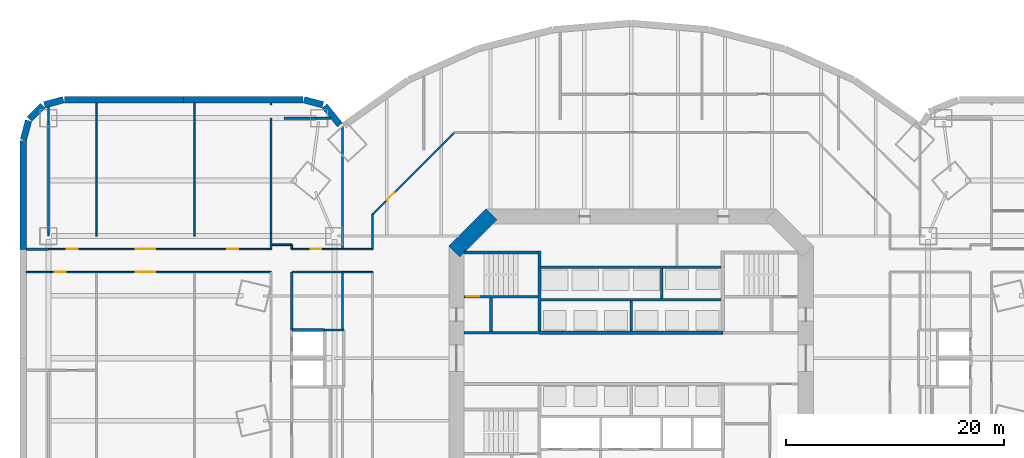
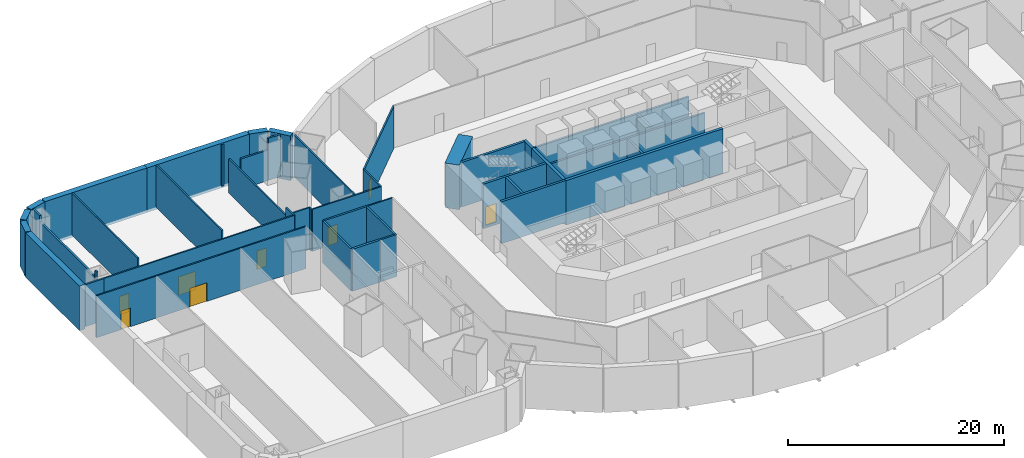
# One storey, part 5 of 11: 45 walls, 8 doors, 8 openings.
"""IFC4 building model written with IfcOpenShell, lengths in metres."""

from ifc_helpers import new_model, si_unit, direction, frame, frame_2d, origin, place, context, subcontext, project, spatial, rectangle, extrude, material, layer, layer_set, type_object, element, fill, save


model = new_model("IFC4")

# Units and contexts
model_context = context("Model", 3, precision=1e-05, world=origin(), true_north=direction((0.0, 1.0)))
body_context = subcontext(model_context, "Body", "Model", "MODEL_VIEW")
ifc_project = project(units=[si_unit("LENGTHUNIT", "METRE"), si_unit("AREAUNIT", "SQUARE_METRE"), si_unit("VOLUMEUNIT", "CUBIC_METRE"), si_unit("PLANEANGLEUNIT", "RADIAN"), si_unit("MASSUNIT", "GRAM", prefix="KILO")], contexts=[model_context])

# Site, building, storey
site_placement = place(None, origin())
site = spatial("IfcSite", under=ifc_project, at=site_placement, CompositionType="ELEMENT")
building_placement = place(site_placement, origin())
building = spatial("IfcBuilding", under=site, at=building_placement, Name="Marenthal Gate Tower", CompositionType="ELEMENT")
storey_placement = place(building_placement, frame((0.0, 0.0, -5.0)))
storey = spatial("IfcBuildingStorey", under=building, at=storey_placement, Name="B1", CompositionType="ELEMENT", Elevation=-5.0)

# Walls
ifc_material_1 = material(Name="Concrete 50 MPa", Category="concrete")
ifc_layer_1 = layer(ifc_material_1, 0.60009765625)
ifc_layer_set_1 = layer_set([ifc_layer_1], Name="BASEMENT WALL 600")
wall_type_1 = type_object("IfcWallType", Name="BASEMENT WALL 600", PredefinedType="SOLIDWALL", material=ifc_layer_set_1)
wall_1_placement = place(storey_placement, frame((-26.683349609375, 21.38720703125, -0.300048828125), z_axis=(0.0, 0.0, 1.0), x_axis=(-0.62890612744, 0.777481242776, 0.0)))
element("IfcWall", 1, at=wall_1_placement, inside=storey, type_object=wall_type_1, Name="BW-B1-35", PredefinedType="SOLIDWALL", context=body_context, shape_type="SweptSolid", body=[
    extrude(rectangle(XDim=2.236328125, YDim=0.60009765625, at=frame_2d((1.1181640625, 0.0))), origin(), (0.0, 0.0, 1.0), 5.050048828125),
])
wall_2_placement = place(storey_placement, frame((-28.243408203125, 23.2265625, -0.300048828125), z_axis=(0.0, 0.0, 1.0), x_axis=(-0.966257460443, 0.257578182573, 0.0)))
element("IfcWall", 2, at=wall_2_placement, inside=storey, type_object=wall_type_1, Name="BW-B1-36", PredefinedType="SOLIDWALL", context=body_context, shape_type="SweptSolid", body=[
    extrude(rectangle(XDim=1.799072265625, YDim=0.60009765625, at=frame_2d((0.8994140625, 0.0))), origin(), (0.0, 0.0, 1.0), 5.050048828125),
])
wall_3_placement = place(storey_placement, frame((-30.05712890625, 23.699951171875, -0.300048828125), z_axis=(0.0, 0.0, 1.0), x_axis=(-1.0, 0.0, 0.0)))
element("IfcWall", 3, at=wall_3_placement, inside=storey, type_object=wall_type_1, Name="BW-B1-37", PredefinedType="SOLIDWALL", context=body_context, shape_type="SweptSolid", body=[
    extrude(rectangle(XDim=10.94287109375, YDim=0.60009765625, at=frame_2d((5.471435546875, 0.0))), origin(), (0.0, 0.0, 1.0), 5.050048828125),
])
wall_4_placement = place(storey_placement, frame((-41.00048828125, 23.699951171875, -0.300048828125), z_axis=(0.0, 0.0, 1.0), x_axis=(-1.0, 0.0, 0.0)))
element("IfcWall", 4, at=wall_4_placement, inside=storey, type_object=wall_type_1, Name="BW-B1-38", PredefinedType="SOLIDWALL", context=body_context, shape_type="SweptSolid", body=[
    extrude(rectangle(XDim=10.9404296875, YDim=0.60009765625, at=frame_2d((5.47021484375, 0.0))), origin(), (0.0, 0.0, 1.0), 5.050048828125),
])
wall_5_placement = place(storey_placement, frame((-52.0166015625, 23.690185546875, -0.300048828125), z_axis=(0.0, 0.0, 1.0), x_axis=(-0.966301872336, -0.257411521733, 0.0)))
element("IfcWall", 5, at=wall_5_placement, inside=storey, type_object=wall_type_1, Name="BW-B1-39", PredefinedType="SOLIDWALL", context=body_context, shape_type="SweptSolid", body=[
    extrude(rectangle(XDim=1.8154296875, YDim=0.60009765625, at=frame_2d((0.90771484375, 0.0))), origin(), (0.0, 0.0, 1.0), 5.050048828125),
])
wall_6_placement = place(storey_placement, frame((-53.904052734375, 23.146484375, -0.300048828125), z_axis=(0.0, 0.0, 1.0), x_axis=(-0.707176340655, -0.707037214875, 0.0)))
element("IfcWall", 6, at=wall_6_placement, inside=storey, type_object=wall_type_1, Name="BW-B1-40", PredefinedType="SOLIDWALL", context=body_context, shape_type="SweptSolid", body=[
    extrude(rectangle(XDim=1.7548828125, YDim=0.60009765625, at=frame_2d((0.87744140625, 0.0))), origin(), (0.0, 0.0, 1.0), 5.050048828125),
])
wall_7_placement = place(storey_placement, frame((-55.22216796875, 21.77294921875, -0.300048828125), z_axis=(0.0, 0.0, 1.0), x_axis=(-0.257595706611, -0.966252788837, 0.0)))
element("IfcWall", 7, at=wall_7_placement, inside=storey, type_object=wall_type_1, Name="BW-B1-41", PredefinedType="SOLIDWALL", context=body_context, shape_type="SweptSolid", body=[
    extrude(rectangle(XDim=1.81591796875, YDim=0.60009765625, at=frame_2d((0.907958984375, 0.0))), origin(), (0.0, 0.0, 1.0), 5.050048828125),
])
wall_8_placement = place(storey_placement, frame((-55.699951171875, 19.94287109375, -0.300048828125), z_axis=(0.0, 0.0, 1.0), x_axis=(0.0, -1.0, 0.0)))
element("IfcWall", 8, at=wall_8_placement, inside=storey, type_object=wall_type_1, Name="BW-B1-42", PredefinedType="SOLIDWALL", context=body_context, shape_type="SweptSolid", body=[
    extrude(rectangle(XDim=9.95263671875, YDim=0.60009765625, at=frame_2d((4.976318359375, 0.0))), origin(), (0.0, 0.0, 1.0), 5.050048828125),
])
ifc_material_2 = material(Name="Concrete 60 MPa", Category="concrete")
ifc_layer_2 = layer(ifc_material_2, 1.39990234375)
ifc_layer_set_2 = layer_set([ifc_layer_2], Name="Core shear wall 1400")
wall_type_2 = type_object("IfcWallType", Name="Core shear wall 1400", PredefinedType="SHEAR", material=ifc_layer_set_2)
wall_9_placement = place(storey_placement, frame((-12.794921875, 13.205078125, -0.300048828125), z_axis=(0.0, 0.0, 1.0), x_axis=(-0.707106781187, -0.707106781187, 0.0)))
element("IfcWall", 9, at=wall_9_placement, inside=storey, type_object=wall_type_2, Name="Core wall 05", PredefinedType="SHEAR", context=body_context, shape_type="SweptSolid", body=[
    extrude(rectangle(XDim=4.82275390625, YDim=1.39990234375, at=frame_2d((2.411376953125, 0.0))), origin(), (0.0, 0.0, 1.0), 5.050048828125),
])
ifc_material_3 = material(Name="Concrete 50 MPa", Category="concrete")
ifc_layer_3 = layer(ifc_material_3, 0.300048828125)
ifc_layer_set_3 = layer_set([ifc_layer_3], Name="Hoistway shear wall 300")
wall_type_3 = type_object("IfcWallType", Name="Hoistway shear wall 300", PredefinedType="SHEAR", material=ifc_layer_set_3)
wall_10_placement = place(storey_placement, frame((-8.39990234375, 2.35009765625, -0.300048828125), z_axis=(0.0, 0.0, 1.0), x_axis=(1.0, 0.0, 0.0)))
element("IfcWall", 10, at=wall_10_placement, inside=storey, type_object=wall_type_3, Name="Hoistway wall 19", PredefinedType="SHEAR", context=body_context, shape_type="SweptSolid", body=[
    extrude(rectangle(XDim=16.7998046875, YDim=0.300048828125, at=frame_2d((8.39990234375, 0.0))), origin(), (0.0, 0.0, 1.0), 5.050048828125),
])
wall_11_placement = place(storey_placement, frame((-8.39990234375, 2.5, -0.300048828125), z_axis=(0.0, 0.0, 1.0), x_axis=(0.0, 1.0, 0.0)))
element("IfcWall", 11, at=wall_11_placement, inside=storey, type_object=wall_type_3, Name="Hoistway wall 31", PredefinedType="SHEAR", context=body_context, shape_type="SweptSolid", body=[
    extrude(rectangle(XDim=5.85009765625, YDim=0.300048828125, at=frame_2d((2.925048828125, 0.0))), origin(), (0.0, 0.0, 1.0), 5.050048828125),
])
ifc_material_4 = material(Name="Concrete 40 MPa", Category="concrete")
ifc_layer_4 = layer(ifc_material_4, 0.219970703125)
ifc_layer_set_4 = layer_set([ifc_layer_4], Name="Hoistway wall 220")
wall_type_4 = type_object("IfcWallType", Name="Hoistway wall 220", PredefinedType="STANDARD", material=ifc_layer_set_4)
for number, where, z_axis, x_axis, name in (
    (12, (-8.25, 5.35009765625, 0.0), (0.0, 0.0, 1.0), (1.0, 0.0, 0.0), "Hoistway wall 21"),
    (13, (-8.25, 8.35009765625, 0.0), (0.0, 0.0, 1.0), (1.0, 0.0, 0.0), "Hoistway wall 24"),
):
    element("IfcWall", number, at=place(storey_placement, frame(where, z_axis=z_axis, x_axis=x_axis)), inside=storey, type_object=wall_type_4, Name=name, PredefinedType="STANDARD", context=body_context, shape_type="SweptSolid", body=[
        extrude(rectangle(XDim=16.5, YDim=0.219970703125, at=frame_2d((8.25, 0.0))), origin(), (0.0, 0.0, 1.0), 4.75),
    ])
wall_12_placement = place(storey_placement, frame((0.0, 2.5, 0.0), z_axis=(0.0, 0.0, 1.0), x_axis=(0.0, 1.0, 0.0)))
element("IfcWall", 14, at=wall_12_placement, inside=storey, type_object=wall_type_4, Name="Hoistway wall 36", PredefinedType="STANDARD", context=body_context, shape_type="SweptSolid", body=[
    extrude(rectangle(XDim=2.739990234375, YDim=0.219970703125, at=frame_2d((1.3701171875, 0.0))), origin(), (0.0, 0.0, 1.0), 4.75),
])
wall_13_placement = place(storey_placement, frame((2.800048828125, 5.4599609375, 0.0), z_axis=(0.0, 0.0, 1.0), x_axis=(0.0, 1.0, 0.0)))
element("IfcWall", 15, at=wall_13_placement, inside=storey, type_object=wall_type_4, Name="Hoistway wall 38", PredefinedType="STANDARD", context=body_context, shape_type="SweptSolid", body=[
    extrude(rectangle(XDim=2.780029296875, YDim=0.219970703125, at=frame_2d((1.39013671875, 0.0))), origin(), (0.0, 0.0, 1.0), 4.75),
])
ifc_material_5 = material(Name="Concrete 40 MPa", Category="concrete")
ifc_layer_5 = layer(ifc_material_5, 0.25)
ifc_layer_set_5 = layer_set([ifc_layer_5], Name="Hoistway wall 250")
wall_type_5 = type_object("IfcWallType", Name="Hoistway wall 250", PredefinedType="STANDARD", material=ifc_layer_set_5)
wall_14_placement = place(storey_placement, frame((-31.10009765625, 2.60009765625, 0.0), z_axis=(0.0, 0.0, 1.0), x_axis=(1.0, 0.0, 0.0)))
element("IfcWall", 16, at=wall_14_placement, inside=storey, type_object=wall_type_5, Name="Hoistway wall 51", PredefinedType="STANDARD", context=body_context, shape_type="SweptSolid", body=[
    extrude(rectangle(XDim=3.0, YDim=0.25, at=frame_2d((1.5, 0.0))), origin(), (0.0, 0.0, 1.0), 4.75),
])

# Wall, openings, doors
ifc_material_6 = material(Name="Gypsum board on steel studs", Category="steel")
ifc_layer_6 = layer(ifc_material_6, 0.14990234375)
ifc_layer_set_6 = layer_set([ifc_layer_6], Name="Partition 150")
wall_type_6 = type_object("IfcWallType", Name="Partition 150", PredefinedType="PARTITIONING", material=ifc_layer_set_6)
wall_15_placement = place(storey_placement, frame((-55.419921875, 7.89990234375, 0.0), z_axis=(0.0, 0.0, 1.0), x_axis=(1.0, 0.0, 0.0)))
wall_15 = element("IfcWall", 17, at=wall_15_placement, inside=storey, type_object=wall_type_6, Name="Partition wall 58", PredefinedType="PARTITIONING", context=body_context, shape_type="SweptSolid", body=[
    extrude(rectangle(XDim=22.419921875, YDim=0.14990234375, at=frame_2d((11.2099609375, 0.0))), origin(), (0.0, 0.0, 1.0), 4.75),
])
opening_1_placement = place(wall_15_placement, frame((2.6201171875, 0.0, 0.0)))
opening_1 = element("IfcOpeningElement", 18, at=opening_1_placement, cuts=wall_15, Name="Opening D005.05", PredefinedType="OPENING", context=body_context, shape_type="SweptSolid", body=[
    extrude(rectangle(XDim=1.0, YDim=2.10009765625, at=frame_2d((0.5, 1.050048828125))), frame((0.0, 0.0849609375, 0.0), z_axis=(0.0, -1.0, 0.0), x_axis=(1.0, 0.0, 0.0)), (0.0, 0.0, 1.0), 0.169921875),
])
opening_2_placement = place(wall_15_placement, frame((10.02001953125, 0.0, 0.0)))
opening_2 = element("IfcOpeningElement", 19, at=opening_2_placement, cuts=wall_15, Name="Opening D007.01", PredefinedType="OPENING", context=body_context, shape_type="SweptSolid", body=[
    extrude(rectangle(XDim=1.800048828125, YDim=2.10009765625, at=frame_2d((0.89990234375, 1.050048828125))), frame((0.0, 0.0849609375, 0.0), z_axis=(0.0, -1.0, 0.0), x_axis=(1.0, 0.0, 0.0)), (0.0, 0.0, 1.0), 0.169921875),
])
ifc_material_7 = material(Name="Steel fire door", Category="steel")
door_type_1 = type_object("IfcDoorType", Name="Double fire door FD 45 1800 x 2100", OperationType="DOUBLE_DOOR_SINGLE_SWING", PredefinedType="DOOR", material=ifc_material_7)
door_1_placement = place(opening_2_placement, origin())
door_1 = element("IfcDoor", 20, at=door_1_placement, inside=storey, type_object=door_type_1, Name="Door D007.01", OperationType="DOUBLE_DOOR_SINGLE_SWING", OverallHeight=2.10009765625, OverallWidth=1.800048828125, PredefinedType="DOOR", context=body_context, shape_type="SweptSolid", body=[
    extrude(rectangle(XDim=1.800048828125, YDim=2.10009765625, at=frame_2d((0.89990234375, 1.050048828125))), frame((0.0, 0.02490234375, 0.0), z_axis=(0.0, -1.0, 0.0), x_axis=(1.0, 0.0, 0.0)), (0.0, 0.0, 1.0), 0.050048828125),
])
fill(opening_2, door_1)
ifc_material_8 = material(Name="Steel fire door", Category="steel")
door_type_2 = type_object("IfcDoorType", Name="Fire door FD 45 1000 x 2100", OperationType="NOTDEFINED", PredefinedType="DOOR", material=ifc_material_8)
door_2_placement = place(opening_1_placement, frame((1.0, 0.0, 0.0), z_axis=(0.0, 0.0, 1.0), x_axis=(-1.0, 0.0, 0.0)))
door_2 = element("IfcDoor", 21, at=door_2_placement, inside=storey, type_object=door_type_2, Name="Door D005.05", OperationType="SINGLE_SWING_LEFT", OverallHeight=2.10009765625, OverallWidth=1.0, PredefinedType="DOOR", context=body_context, shape_type="SweptSolid", body=[
    extrude(rectangle(XDim=1.0, YDim=2.10009765625, at=frame_2d((0.5, 1.050048828125))), frame((0.0, 0.02490234375, 0.0), z_axis=(0.0, -1.0, 0.0), x_axis=(1.0, 0.0, 0.0)), (0.0, 0.0, 1.0), 0.050048828125),
])
fill(opening_1, door_2)

wall_16_placement = place(storey_placement, frame((-53.405029296875, 10.0, 0.0), z_axis=(0.0, 0.0, 1.0), x_axis=(1.0, 0.0, 0.0)))
wall_16 = element("IfcWall", 22, at=wall_16_placement, inside=storey, type_object=wall_type_6, Name="Partition wall 60", PredefinedType="PARTITIONING", context=body_context, shape_type="SweptSolid", body=[
    extrude(rectangle(XDim=20.405029296875, YDim=0.14990234375, at=frame_2d((10.20263671875, 0.0))), origin(), (0.0, 0.0, 1.0), 4.75),
])
opening_3_placement = place(wall_16_placement, frame((1.705078125, 0.0, 0.0)))
opening_3 = element("IfcOpeningElement", 23, at=opening_3_placement, cuts=wall_16, Name="Opening D005.06", PredefinedType="OPENING", context=body_context, shape_type="SweptSolid", body=[
    extrude(rectangle(XDim=1.0, YDim=2.10009765625, at=frame_2d((0.5, 1.050048828125))), frame((0.0, 0.0849609375, 0.0), z_axis=(0.0, -1.0, 0.0), x_axis=(1.0, 0.0, 0.0)), (0.0, 0.0, 1.0), 0.169921875),
])
opening_4_placement = place(wall_16_placement, frame((8.0048828125, 0.0, 0.0)))
opening_4 = element("IfcOpeningElement", 24, at=opening_4_placement, cuts=wall_16, Name="Opening D007.06", PredefinedType="OPENING", context=body_context, shape_type="SweptSolid", body=[
    extrude(rectangle(XDim=1.800048828125, YDim=2.10009765625, at=frame_2d((0.89990234375, 1.050048828125))), frame((0.0, 0.0849609375, 0.0), z_axis=(0.0, -1.0, 0.0), x_axis=(1.0, 0.0, 0.0)), (0.0, 0.0, 1.0), 0.169921875),
])
opening_5_placement = place(wall_16_placement, frame((16.405029296875, 0.0, 0.0)))
opening_5 = element("IfcOpeningElement", 25, at=opening_5_placement, cuts=wall_16, Name="Opening D005.07", PredefinedType="OPENING", context=body_context, shape_type="SweptSolid", body=[
    extrude(rectangle(XDim=1.0, YDim=2.10009765625, at=frame_2d((0.5, 1.050048828125))), frame((0.0, 0.0849609375, 0.0), z_axis=(0.0, -1.0, 0.0), x_axis=(1.0, 0.0, 0.0)), (0.0, 0.0, 1.0), 0.169921875),
])
door_3_placement = place(opening_4_placement, origin())
door_3 = element("IfcDoor", 26, at=door_3_placement, inside=storey, type_object=door_type_1, Name="Door D007.06", OperationType="DOUBLE_DOOR_SINGLE_SWING", OverallHeight=2.10009765625, OverallWidth=1.800048828125, PredefinedType="DOOR", context=body_context, shape_type="SweptSolid", body=[
    extrude(rectangle(XDim=1.800048828125, YDim=2.10009765625, at=frame_2d((0.89990234375, 1.050048828125))), frame((0.0, 0.02490234375, 0.0), z_axis=(0.0, -1.0, 0.0), x_axis=(1.0, 0.0, 0.0)), (0.0, 0.0, 1.0), 0.050048828125),
])
fill(opening_4, door_3)
door_4_placement = place(opening_3_placement, origin())
door_4 = element("IfcDoor", 27, at=door_4_placement, inside=storey, type_object=door_type_2, Name="Door D005.06", OperationType="SINGLE_SWING_RIGHT", OverallHeight=2.10009765625, OverallWidth=1.0, PredefinedType="DOOR", context=body_context, shape_type="SweptSolid", body=[
    extrude(rectangle(XDim=1.0, YDim=2.10009765625, at=frame_2d((0.5, 1.050048828125))), frame((0.0, 0.02490234375, 0.0), z_axis=(0.0, -1.0, 0.0), x_axis=(1.0, 0.0, 0.0)), (0.0, 0.0, 1.0), 0.050048828125),
])
fill(opening_3, door_4)
door_5_placement = place(opening_5_placement, origin())
door_5 = element("IfcDoor", 28, at=door_5_placement, inside=storey, type_object=door_type_2, Name="Door D005.07", OperationType="SINGLE_SWING_RIGHT", OverallHeight=2.10009765625, OverallWidth=1.0, PredefinedType="DOOR", context=body_context, shape_type="SweptSolid", body=[
    extrude(rectangle(XDim=1.0, YDim=2.10009765625, at=frame_2d((0.5, 1.050048828125))), frame((0.0, 0.02490234375, 0.0), z_axis=(0.0, -1.0, 0.0), x_axis=(1.0, 0.0, 0.0)), (0.0, 0.0, 1.0), 0.050048828125),
])
fill(opening_5, door_5)

# Wall, opening, door
wall_17_placement = place(storey_placement, frame((-31.10009765625, 10.0, 0.0), z_axis=(0.0, 0.0, 1.0), x_axis=(1.0, 0.0, 0.0)))
wall_17 = element("IfcWall", 29, at=wall_17_placement, inside=storey, type_object=wall_type_6, Name="Partition wall 61", PredefinedType="PARTITIONING", context=body_context, shape_type="SweptSolid", body=[
    extrude(rectangle(XDim=7.400146484375, YDim=0.14990234375, at=frame_2d((3.7001953125, 0.0))), origin(), (0.0, 0.0, 1.0), 4.75),
])
opening_6_placement = place(wall_17_placement, frame((1.72509765625, 0.0, 0.0)))
opening_6 = element("IfcOpeningElement", 30, at=opening_6_placement, cuts=wall_17, Name="Opening D005.08", PredefinedType="OPENING", context=body_context, shape_type="SweptSolid", body=[
    extrude(rectangle(XDim=1.0, YDim=2.10009765625, at=frame_2d((0.5, 1.050048828125))), frame((0.0, 0.0849609375, 0.0), z_axis=(0.0, -1.0, 0.0), x_axis=(1.0, 0.0, 0.0)), (0.0, 0.0, 1.0), 0.169921875),
])
door_6_placement = place(opening_6_placement, origin())
door_6 = element("IfcDoor", 31, at=door_6_placement, inside=storey, type_object=door_type_2, Name="Door D005.08", OperationType="SINGLE_SWING_RIGHT", OverallHeight=2.10009765625, OverallWidth=1.0, PredefinedType="DOOR", context=body_context, shape_type="SweptSolid", body=[
    extrude(rectangle(XDim=1.0, YDim=2.10009765625, at=frame_2d((0.5, 1.050048828125))), frame((0.0, 0.02490234375, 0.0), z_axis=(0.0, -1.0, 0.0), x_axis=(1.0, 0.0, 0.0)), (0.0, 0.0, 1.0), 0.050048828125),
])
fill(opening_6, door_6)

# Wall
wall_18_placement = place(storey_placement, frame((-33.0, 10.39990234375, 0.0), z_axis=(0.0, 0.0, 1.0), x_axis=(1.0, 0.0, 0.0)))
element("IfcWall", 32, at=wall_18_placement, inside=storey, type_object=wall_type_6, Name="Partition wall 62", PredefinedType="PARTITIONING", context=body_context, shape_type="SweptSolid", body=[
    extrude(rectangle(XDim=1.89990234375, YDim=0.14990234375, at=frame_2d((0.949951171875, 0.0))), origin(), (0.0, 0.0, 1.0), 4.75),
])

# Wall, opening, door
wall_19_placement = place(storey_placement, frame((-23.699951171875, 13.189453125, 0.0), z_axis=(0.0, 0.0, 1.0), x_axis=(0.707106781187, 0.707106781187, 0.0)))
wall_19 = element("IfcWall", 33, at=wall_19_placement, inside=storey, type_object=wall_type_6, Name="Partition wall 64", PredefinedType="PARTITIONING", context=body_context, shape_type="SweptSolid", body=[
    extrude(rectangle(XDim=10.621337890625, YDim=0.14990234375, at=frame_2d((5.310546875, 0.0))), origin(), (0.0, 0.0, 1.0), 4.75),
])
opening_7_placement = place(wall_19_placement, frame((1.847900390625, 0.0, 0.0)))
opening_7 = element("IfcOpeningElement", 34, at=opening_7_placement, cuts=wall_19, Name="Opening D005.09", PredefinedType="OPENING", context=body_context, shape_type="SweptSolid", body=[
    extrude(rectangle(XDim=1.0, YDim=2.10009765625, at=frame_2d((0.5, 1.050048828125))), frame((0.0, 0.0849609375, 0.0), z_axis=(0.0, -1.0, 0.0), x_axis=(1.0, 0.0, 0.0)), (0.0, 0.0, 1.0), 0.169921875),
])
door_7_placement = place(opening_7_placement, origin())
door_7 = element("IfcDoor", 35, at=door_7_placement, inside=storey, type_object=door_type_2, Name="Door D005.09", OperationType="SINGLE_SWING_RIGHT", OverallHeight=2.10009765625, OverallWidth=1.0, PredefinedType="DOOR", context=body_context, shape_type="SweptSolid", body=[
    extrude(rectangle(XDim=1.0, YDim=2.10009765625, at=frame_2d((0.5, 1.050048828125))), frame((0.0, 0.02490234375, 0.0), z_axis=(0.0, -1.0, 0.0), x_axis=(1.0, 0.0, 0.0)), (0.0, 0.0, 1.0), 0.050048828125),
])
fill(opening_7, door_7)

# Walls
wall_20_placement = place(storey_placement, frame((-23.699951171875, 9.9951171875, 0.0), z_axis=(0.0, 0.0, 1.0), x_axis=(0.0, 1.0, 0.0)))
element("IfcWall", 36, at=wall_20_placement, inside=storey, type_object=wall_type_6, Name="Partition wall 70", PredefinedType="PARTITIONING", context=body_context, shape_type="SweptSolid", body=[
    extrude(rectangle(XDim=3.1943359375, YDim=0.14990234375, at=frame_2d((1.59716796875, 0.0))), origin(), (0.0, 0.0, 1.0), 4.75),
])
wall_21_placement = place(storey_placement, frame((-26.449951171875, 10.0, 0.0), z_axis=(0.0, 0.0, 1.0), x_axis=(0.0, 1.0, 0.0)))
element("IfcWall", 37, at=wall_21_placement, inside=storey, type_object=wall_type_6, Name="Partition wall 71", PredefinedType="PARTITIONING", context=body_context, shape_type="SweptSolid", body=[
    extrude(rectangle(XDim=11.222412109375, YDim=0.14990234375, at=frame_2d((5.611328125, 0.0))), origin(), (0.0, 0.0, 1.0), 4.75),
])
wall_22_placement = place(storey_placement, frame((-31.10009765625, 9.9951171875, 0.0), z_axis=(0.0, 0.0, 1.0), x_axis=(0.0, 1.0, 0.0)))
element("IfcWall", 38, at=wall_22_placement, inside=storey, type_object=wall_type_6, Name="Partition wall 72", PredefinedType="PARTITIONING", context=body_context, shape_type="SweptSolid", body=[
    extrude(rectangle(XDim=0.40478515625, YDim=0.14990234375, at=frame_2d((0.202392578125, 0.0))), origin(), (0.0, 0.0, 1.0), 4.75),
])
wall_23_placement = place(storey_placement, frame((-33.0, 9.9951171875, 0.0), z_axis=(0.0, 0.0, 1.0), x_axis=(0.0, 1.0, 0.0)))
element("IfcWall", 39, at=wall_23_placement, inside=storey, type_object=wall_type_6, Name="Partition wall 74", PredefinedType="PARTITIONING", context=body_context, shape_type="SweptSolid", body=[
    extrude(rectangle(XDim=1.44482421875, YDim=0.14990234375, at=frame_2d((0.722412109375, 0.0))), origin(), (0.0, 0.0, 1.0), 4.75),
])
wall_24_placement = place(storey_placement, frame((-33.0, 11.43994140625, 0.0), z_axis=(0.0, 0.0, 1.0), x_axis=(0.0, 1.0, 0.0)))
element("IfcWall", 40, at=wall_24_placement, inside=storey, type_object=wall_type_6, Name="Partition wall 157", PredefinedType="PARTITIONING", context=body_context, shape_type="SweptSolid", body=[
    extrude(rectangle(XDim=10.56494140625, YDim=0.14990234375, at=frame_2d((5.282470703125, 0.0))), origin(), (0.0, 0.0, 1.0), 3.845947265625),
])
for number, where, z_axis, x_axis, name in (
    (41, (-40.0, 11.199951171875, 0.0), (0.0, 0.0, 1.0), (0.0, 1.0, 0.0), "Partition wall 76"),
    (42, (-49.0, 11.199951171875, 0.0), (0.0, 0.0, 1.0), (0.0, 1.0, 0.0), "Partition wall 78"),
):
    element("IfcWall", number, at=place(storey_placement, frame(where, z_axis=z_axis, x_axis=x_axis)), inside=storey, type_object=wall_type_6, Name=name, PredefinedType="PARTITIONING", context=body_context, shape_type="SweptSolid", body=[
        extrude(rectangle(XDim=12.2099609375, YDim=0.14990234375, at=frame_2d((6.10498046875, 0.0))), origin(), (0.0, 0.0, 1.0), 4.75),
    ])
wall_25_placement = place(storey_placement, frame((-26.455078125, 7.89990234375, 0.0), z_axis=(0.0, 0.0, 1.0), x_axis=(1.0, 0.0, 0.0)))
element("IfcWall", 43, at=wall_25_placement, inside=storey, type_object=wall_type_6, Name="Partition wall 85", PredefinedType="PARTITIONING", context=body_context, shape_type="SweptSolid", body=[
    extrude(rectangle(XDim=2.755126953125, YDim=0.14990234375, at=frame_2d((1.37744140625, 0.0))), origin(), (0.0, 0.0, 1.0), 4.75),
])
ifc_material_9 = material(Name="Gypsum board on steel studs", Category="steel")
ifc_layer_7 = layer(ifc_material_9, 0.199951171875)
ifc_layer_set_7 = layer_set([ifc_layer_7], Name="Partition 200")
wall_type_7 = type_object("IfcWallType", Name="Partition 200", PredefinedType="PARTITIONING", material=ifc_layer_set_7)
wall_26_placement = place(storey_placement, frame((-28.10009765625, 2.60009765625, 0.0), z_axis=(0.0, 0.0, 1.0), x_axis=(1.0, 0.0, 0.0)))
element("IfcWall", 44, at=wall_26_placement, inside=storey, type_object=wall_type_7, Name="Partition wall 21", PredefinedType="PARTITIONING", context=body_context, shape_type="SweptSolid", body=[
    extrude(rectangle(XDim=1.77001953125, YDim=0.199951171875, at=frame_2d((0.885009765625, 0.0))), origin(), (0.0, 0.0, 1.0), 4.75),
])
wall_27_placement = place(storey_placement, frame((-31.10009765625, 7.89990234375, 0.0), z_axis=(0.0, 0.0, 1.0), x_axis=(1.0, 0.0, 0.0)))
element("IfcWall", 45, at=wall_27_placement, inside=storey, type_object=wall_type_7, Name="Partition wall 23", PredefinedType="PARTITIONING", context=body_context, shape_type="SweptSolid", body=[
    extrude(rectangle(XDim=4.655029296875, YDim=0.199951171875, at=frame_2d((2.32763671875, 0.0))), origin(), (0.0, 0.0, 1.0), 4.75),
])
wall_28_placement = place(storey_placement, frame((-55.39990234375, 10.0, 0.0), z_axis=(0.0, 0.0, 1.0), x_axis=(1.0, 0.0, 0.0)))
element("IfcWall", 46, at=wall_28_placement, inside=storey, type_object=wall_type_7, Name="Partition wall 26", PredefinedType="PARTITIONING", context=body_context, shape_type="SweptSolid", body=[
    extrude(rectangle(XDim=2.0048828125, YDim=0.199951171875, at=frame_2d((1.00244140625, 0.0))), origin(), (0.0, 0.0, 1.0), 4.75),
])
wall_29_placement = place(storey_placement, frame((-31.800048828125, 22.0, 0.0), z_axis=(0.0, 0.0, 1.0), x_axis=(1.0, 0.0, 0.0)))
element("IfcWall", 47, at=wall_29_placement, inside=storey, type_object=wall_type_7, Name="Partition wall 29", PredefinedType="PARTITIONING", context=body_context, shape_type="SweptSolid", body=[
    extrude(rectangle(XDim=2.900146484375, YDim=0.199951171875, at=frame_2d((1.4501953125, 0.0))), origin(), (0.0, 0.0, 1.0), 3.449951171875),
])
wall_30_placement = place(storey_placement, frame((-28.89990234375, 22.0, 0.0), z_axis=(0.0, 0.0, 1.0), x_axis=(1.0, 0.0, 0.0)))
element("IfcWall", 48, at=wall_30_placement, inside=storey, type_object=wall_type_7, Name="Partition wall 161", PredefinedType="PARTITIONING", context=body_context, shape_type="SweptSolid", body=[
    extrude(rectangle(XDim=1.327880859375, YDim=0.199951171875, at=frame_2d((0.6640625, 0.0))), origin(), (0.0, 0.0, 1.0), 4.75),
])
wall_31_placement = place(storey_placement, frame((-26.449951171875, 2.60009765625, 0.0), z_axis=(0.0, 0.0, 1.0), x_axis=(0.0, 1.0, 0.0)))
element("IfcWall", 49, at=wall_31_placement, inside=storey, type_object=wall_type_7, Name="Partition wall 39", PredefinedType="PARTITIONING", context=body_context, shape_type="SweptSolid", body=[
    extrude(rectangle(XDim=5.2998046875, YDim=0.199951171875, at=frame_2d((2.64990234375, 0.0))), origin(), (0.0, 0.0, 1.0), 4.75),
])
wall_32_placement = place(storey_placement, frame((-31.10009765625, 2.594970703125, 0.0), z_axis=(0.0, 0.0, 1.0), x_axis=(0.0, 1.0, 0.0)))
element("IfcWall", 50, at=wall_32_placement, inside=storey, type_object=wall_type_7, Name="Partition wall 40", PredefinedType="PARTITIONING", context=body_context, shape_type="SweptSolid", body=[
    extrude(rectangle(XDim=5.31005859375, YDim=0.199951171875, at=frame_2d((2.655029296875, 0.0))), origin(), (0.0, 0.0, 1.0), 4.75),
])
wall_33_placement = place(storey_placement, frame((-33.0, 23.195068359375, 0.0), z_axis=(0.0, 0.0, 1.0), x_axis=(0.0, 1.0, 0.0)))
element("IfcWall", 51, at=wall_33_placement, inside=storey, type_object=wall_type_7, Name="Partition wall 42", PredefinedType="PARTITIONING", context=body_context, shape_type="SweptSolid", body=[
    extrude(rectangle(XDim=0.21484375, YDim=0.199951171875, at=frame_2d((0.107421875, 0.0))), origin(), (0.0, 0.0, 1.0), 4.75),
])
wall_34_placement = place(storey_placement, frame((-53.39990234375, 11.199951171875, 0.0), z_axis=(0.0, 0.0, 1.0), x_axis=(0.0, 1.0, 0.0)))
element("IfcWall", 52, at=wall_34_placement, inside=storey, type_object=wall_type_7, Name="Partition wall 44", PredefinedType="PARTITIONING", context=body_context, shape_type="SweptSolid", body=[
    extrude(rectangle(XDim=0.300048828125, YDim=0.199951171875, at=frame_2d((0.14990234375, 0.0))), origin(), (0.0, 0.0, 1.0), 4.75),
])
wall_35_placement = place(storey_placement, frame((-53.39990234375, 11.5, 0.0), z_axis=(0.0, 0.0, 1.0), x_axis=(0.0, 1.0, 0.0)))
element("IfcWall", 53, at=wall_35_placement, inside=storey, type_object=wall_type_7, Name="Partition wall 171", PredefinedType="PARTITIONING", context=body_context, shape_type="SweptSolid", body=[
    extrude(rectangle(XDim=10.199951171875, YDim=0.199951171875, at=frame_2d((5.10009765625, 0.0))), origin(), (0.0, 0.0, 1.0), 4.06689453125),
])
wall_36_placement = place(storey_placement, frame((-53.39990234375, 21.699951171875, 0.0), z_axis=(0.0, 0.0, 1.0), x_axis=(0.0, 1.0, 0.0)))
element("IfcWall", 54, at=wall_36_placement, inside=storey, type_object=wall_type_7, Name="Partition wall 172", PredefinedType="PARTITIONING", context=body_context, shape_type="SweptSolid", body=[
    extrude(rectangle(XDim=1.3154296875, YDim=0.199951171875, at=frame_2d((0.65771484375, 0.0))), origin(), (0.0, 0.0, 1.0), 4.75),
])
ifc_material_10 = material(Name="Concrete 40 MPa", Category="concrete")
ifc_layer_8 = layer(ifc_material_10, 0.25)
ifc_layer_set_8 = layer_set([ifc_layer_8], Name="Stair enclosure wall 250")
wall_type_8 = type_object("IfcWallType", Name="Stair enclosure wall 250", PredefinedType="STANDARD", material=ifc_layer_set_8)
wall_37_placement = place(storey_placement, frame((-15.300048828125, 2.35009765625, 0.0), z_axis=(0.0, 0.0, 1.0), x_axis=(1.0, 0.0, 0.0)))
element("IfcWall", 55, at=wall_37_placement, inside=storey, type_object=wall_type_8, Name="Stair wall 18", PredefinedType="STANDARD", context=body_context, shape_type="SweptSolid", body=[
    extrude(rectangle(XDim=6.900146484375, YDim=0.25, at=frame_2d((3.4501953125, 0.0))), origin(), (0.0, 0.0, 1.0), 4.75),
])
wall_38_placement = place(storey_placement, frame((-12.85009765625, 2.47509765625, 0.0), z_axis=(0.0, 0.0, 1.0), x_axis=(0.0, 1.0, 0.0)))
element("IfcWall", 56, at=wall_38_placement, inside=storey, type_object=wall_type_8, Name="Stair wall 27", PredefinedType="STANDARD", context=body_context, shape_type="SweptSolid", body=[
    extrude(rectangle(XDim=3.0498046875, YDim=0.25, at=frame_2d((1.52490234375, 0.0))), origin(), (0.0, 0.0, 1.0), 4.75),
])

# Wall, opening, door
ifc_material_11 = material(Name="Concrete 50 MPa", Category="concrete")
ifc_layer_9 = layer(ifc_material_11, 0.25)
ifc_layer_set_9 = layer_set([ifc_layer_9], Name="Stair shear wall 250")
wall_type_9 = type_object("IfcWallType", Name="Stair shear wall 250", PredefinedType="SHEAR", material=ifc_layer_set_9)
wall_39_placement = place(storey_placement, frame((-15.300048828125, 5.64990234375, -0.300048828125), z_axis=(0.0, 0.0, 1.0), x_axis=(1.0, 0.0, 0.0)))
wall_39 = element("IfcWall", 57, at=wall_39_placement, inside=storey, type_object=wall_type_9, Name="Stair wall 22", PredefinedType="SHEAR", context=body_context, shape_type="SweptSolid", body=[
    extrude(rectangle(XDim=6.75, YDim=0.25, at=frame_2d((3.375, 0.0))), origin(), (0.0, 0.0, 1.0), 5.050048828125),
])
opening_8_placement = place(wall_39_placement, frame((0.199951171875, 0.0, 0.300048828125)))
opening_8 = element("IfcOpeningElement", 58, at=opening_8_placement, cuts=wall_39, Name="Opening D001.01", PredefinedType="OPENING", context=body_context, shape_type="SweptSolid", body=[
    extrude(rectangle(XDim=1.199951171875, YDim=2.10009765625, at=frame_2d((0.60009765625, 1.050048828125))), frame((0.0, 0.135009765625, 0.0), z_axis=(0.0, -1.0, 0.0), x_axis=(1.0, 0.0, 0.0)), (0.0, 0.0, 1.0), 0.27001953125),
])
ifc_material_12 = material(Name="Steel fire door", Category="steel")
door_type_3 = type_object("IfcDoorType", Name="Fire door FD 90 1200 x 2100", OperationType="NOTDEFINED", PredefinedType="DOOR", material=ifc_material_12)
door_8_placement = place(opening_8_placement, origin())
door_8 = element("IfcDoor", 59, at=door_8_placement, inside=storey, type_object=door_type_3, Name="Door D001.01", OperationType="SINGLE_SWING_RIGHT", OverallHeight=2.10009765625, OverallWidth=1.199951171875, PredefinedType="DOOR", context=body_context, shape_type="SweptSolid", body=[
    extrude(rectangle(XDim=1.199951171875, YDim=2.10009765625, at=frame_2d((0.60009765625, 1.050048828125))), frame((0.0, 0.02490234375, 0.0), z_axis=(0.0, -1.0, 0.0), x_axis=(1.0, 0.0, 0.0)), (0.0, 0.0, 1.0), 0.050048828125),
])
fill(opening_8, door_8)

# Walls
wall_40_placement = place(storey_placement, frame((-15.300048828125, 9.699951171875, -0.300048828125), z_axis=(0.0, 0.0, 1.0), x_axis=(1.0, 0.0, 0.0)))
element("IfcWall", 60, at=wall_40_placement, inside=storey, type_object=wall_type_9, Name="Stair wall 25", PredefinedType="SHEAR", context=body_context, shape_type="SweptSolid", body=[
    extrude(rectangle(XDim=6.75, YDim=0.25, at=frame_2d((3.375, 0.0))), origin(), (0.0, 0.0, 1.0), 5.050048828125),
])
ifc_material_13 = material(Name="Concrete 50 MPa", Category="concrete")
ifc_layer_10 = layer(ifc_material_13, 0.300048828125)
ifc_layer_set_10 = layer_set([ifc_layer_10], Name="Stair shear wall 300")
wall_type_10 = type_object("IfcWallType", Name="Stair shear wall 300", PredefinedType="SHEAR", material=ifc_layer_set_10)
wall_41_placement = place(storey_placement, frame((-8.39990234375, 8.35009765625, -0.300048828125), z_axis=(0.0, 0.0, 1.0), x_axis=(0.0, 1.0, 0.0)))
element("IfcWall", 61, at=wall_41_placement, inside=storey, type_object=wall_type_10, Name="Stair wall 32", PredefinedType="SHEAR", context=body_context, shape_type="SweptSolid", body=[
    extrude(rectangle(XDim=1.474853515625, YDim=0.300048828125, at=frame_2d((0.7373046875, 0.0))), origin(), (0.0, 0.0, 1.0), 5.050048828125),
])

save(model, "model.ifc")
